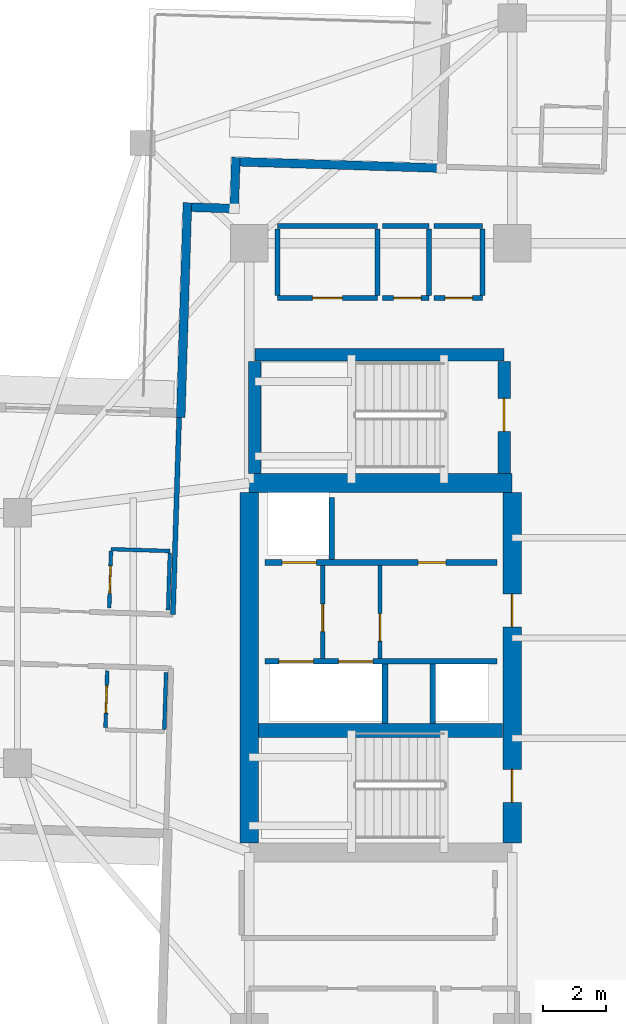
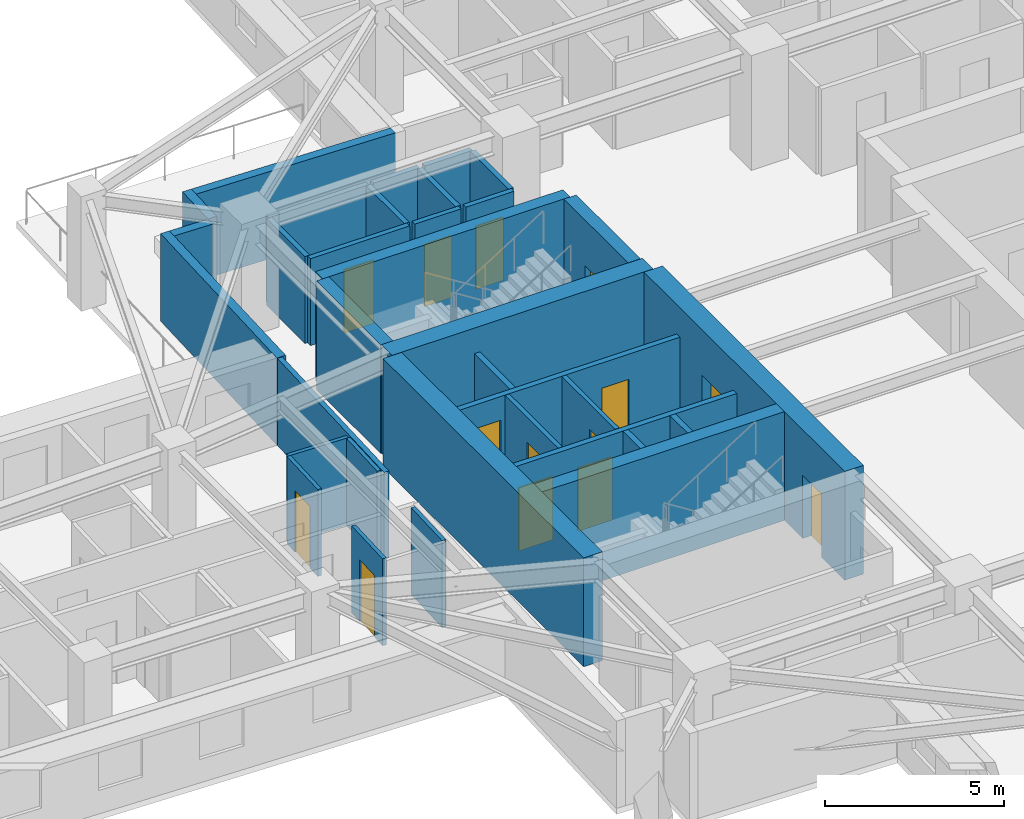
# One storey, part 5 of 13: 34 walls, 14 doors, 14 openings.
"""IFC4 building model written with IfcOpenShell, lengths in metres."""

from ifc_helpers import new_model, si_unit, direction, frame, frame_2d, origin, place, context, subcontext, project, spatial, rectangle, extrude, material, layer, layer_set, type_object, element, fill, save


model = new_model("IFC4")

# Units and contexts
model_context = context("Model", 3, precision=1e-05, world=origin(), true_north=direction((0.0, 1.0)))
body_context = subcontext(model_context, "Body", "Model", "MODEL_VIEW")
ifc_project = project(units=[si_unit("LENGTHUNIT", "METRE"), si_unit("AREAUNIT", "SQUARE_METRE"), si_unit("VOLUMEUNIT", "CUBIC_METRE"), si_unit("PLANEANGLEUNIT", "RADIAN"), si_unit("MASSUNIT", "GRAM", prefix="KILO")], contexts=[model_context])

# Site, building, storey
site_placement = place(None, origin())
site = spatial("IfcSite", under=ifc_project, at=site_placement, CompositionType="ELEMENT")
building_placement = place(site_placement, origin())
building = spatial("IfcBuilding", under=site, at=building_placement, Name="Qingluan Cross Belvedere", CompositionType="ELEMENT")
storey_placement = place(building_placement, frame((0.0, 0.0, 152.699951171875)))
storey = spatial("IfcBuildingStorey", under=building, at=storey_placement, Name="L38", CompositionType="ELEMENT", Elevation=152.699951171875)

# Walls
ifc_material_1 = material(Name="Concrete C50", Category="concrete")
ifc_layer_1 = layer(ifc_material_1, 0.449951171875, Name="CoreShearWall_450")
ifc_layer_set_1 = layer_set([ifc_layer_1], Name="Concrete C50")
wall_type_1 = type_object("IfcWallType", Name="CoreShearWall_450", PredefinedType="SHEAR", material=ifc_layer_set_1)
wall_1_placement = place(storey_placement, frame((-12.094970703125, -2.9599609375, 0.0), z_axis=(0.0, 0.0, 1.0), x_axis=(1.0, 0.0, 0.0)))
element("IfcWall", 1, at=wall_1_placement, inside=storey, type_object=wall_type_1, Name="Split core W shear wall L38-M", PredefinedType="SHEAR", context=body_context, shape_type="SweptSolid", body=[
    extrude(rectangle(XDim=7.7900390625, YDim=0.449951171875, at=frame_2d((3.89501953125, 0.0))), origin(), (0.0, 0.0, 1.0), 3.699951171875),
])
wall_2_placement = place(storey_placement, frame((-12.219970703125, 9.0400390625, 0.0), z_axis=(0.0, 0.0, 1.0), x_axis=(1.0, 0.0, 0.0)))
element("IfcWall", 2, at=wall_2_placement, inside=storey, type_object=wall_type_1, Name="Stair ST3 structural wall N L38", PredefinedType="SHEAR", context=body_context, shape_type="SweptSolid", body=[
    extrude(rectangle(XDim=7.9599609375, YDim=0.39990234375, at=frame_2d((3.97998046875, 0.0))), origin(), (0.0, 0.0, 1.0), 3.699951171875),
])
wall_3_placement = place(storey_placement, frame((-12.219970703125, 5.2548828125, 0.0), z_axis=(0.0, 0.0, 1.0), x_axis=(0.0, 1.0, 0.0)))
element("IfcWall", 3, at=wall_3_placement, inside=storey, type_object=wall_type_1, Name="Stair ST3 structural wall W L38", PredefinedType="SHEAR", context=body_context, shape_type="SweptSolid", body=[
    extrude(rectangle(XDim=3.580078125, YDim=0.39990234375, at=frame_2d((1.7900390625, 0.0))), origin(), (0.0, 0.0, 1.0), 3.699951171875),
])

# Wall, opening, door
wall_4_placement = place(storey_placement, frame((-4.260009765625, 5.2548828125, 0.0), z_axis=(0.0, 0.0, 1.0), x_axis=(0.0, 1.0, 0.0)))
wall_4 = element("IfcWall", 4, at=wall_4_placement, inside=storey, type_object=wall_type_1, Name="Stair ST3 structural wall E L38", PredefinedType="SHEAR", context=body_context, shape_type="SweptSolid", body=[
    extrude(rectangle(XDim=3.580078125, YDim=0.39990234375, at=frame_2d((1.7900390625, 0.0))), origin(), (0.0, 0.0, 1.0), 3.699951171875),
])
opening_1_placement = place(wall_4_placement, frame((1.344970703125, 0.0, 0.0)))
opening_1 = element("IfcOpeningElement", 5, at=opening_1_placement, cuts=wall_4, Name="Opening FD-B11", PredefinedType="OPENING", context=body_context, shape_type="SweptSolid", body=[
    extrude(rectangle(XDim=1.050048828125, YDim=2.14990234375, at=frame_2d((0.52490234375, 1.074951171875))), frame((0.0, 0.2099609375, 0.0), z_axis=(0.0, -1.0, 0.0), x_axis=(1.0, 0.0, 0.0)), (0.0, 0.0, 1.0), 0.419921875),
])
ifc_material_2 = material(Name="Steel Class B smoke-seal fire door", Category="steel")
door_type_1 = type_object("IfcDoorType", Name="StairLobbyFireDoor_FDB", OperationType="NOTDEFINED", PredefinedType="DOOR", material=ifc_material_2)
door_1_placement = place(opening_1_placement, origin())
door_1 = element("IfcDoor", 6, at=door_1_placement, inside=storey, type_object=door_type_1, Name="Smoke-proof stair ST3 fire door L38", OperationType="SINGLE_SWING_RIGHT", OverallHeight=2.14990234375, OverallWidth=1.050048828125, PredefinedType="DOOR", context=body_context, shape_type="SweptSolid", body=[
    extrude(rectangle(XDim=1.050048828125, YDim=2.14990234375, at=frame_2d((0.52490234375, 1.074951171875))), frame((0.0, 0.02490234375, 0.0), z_axis=(0.0, -1.0, 0.0), x_axis=(1.0, 0.0, 0.0)), (0.0, 0.0, 1.0), 0.050048828125),
])
fill(opening_1, door_1)

# Walls
ifc_material_3 = material(Name="Concrete C60", Category="concrete")
ifc_layer_2 = layer(ifc_material_3, 0.60009765625, Name="CoreShearWall_600")
ifc_layer_set_2 = layer_set([ifc_layer_2], Name="Concrete C60")
wall_type_2 = type_object("IfcWallType", Name="CoreShearWall_600", PredefinedType="SHEAR", material=ifc_layer_set_2)
wall_5_placement = place(storey_placement, frame((-12.39990234375, 4.949951171875, 0.0), z_axis=(0.0, 0.0, 1.0), x_axis=(1.0, 0.0, 0.0)))
element("IfcWall", 7, at=wall_5_placement, inside=storey, type_object=wall_type_2, Name="Split core W shear wall L38-N", PredefinedType="SHEAR", context=body_context, shape_type="SweptSolid", body=[
    extrude(rectangle(XDim=8.39990234375, YDim=0.60009765625, at=frame_2d((4.199951171875, 0.0))), origin(), (0.0, 0.0, 1.0), 3.699951171875),
])
wall_6_placement = place(storey_placement, frame((-12.39990234375, -6.544921875, 0.0), z_axis=(0.0, 0.0, 1.0), x_axis=(0.0, 1.0, 0.0)))
element("IfcWall", 8, at=wall_6_placement, inside=storey, type_object=wall_type_2, Name="Split core W shear wall L38-W", PredefinedType="SHEAR", context=body_context, shape_type="SweptSolid", body=[
    extrude(rectangle(XDim=11.18994140625, YDim=0.60009765625, at=frame_2d((5.594970703125, 0.0))), origin(), (0.0, 0.0, 1.0), 3.699951171875),
])

# Wall, openings, doors
wall_7_placement = place(storey_placement, frame((-4.0, -6.544921875, 0.0), z_axis=(0.0, 0.0, 1.0), x_axis=(0.0, 1.0, 0.0)))
wall_7 = element("IfcWall", 9, at=wall_7_placement, inside=storey, type_object=wall_type_2, Name="Split core W shear wall L38-E", PredefinedType="SHEAR", context=body_context, shape_type="SweptSolid", body=[
    extrude(rectangle(XDim=11.18994140625, YDim=0.60009765625, at=frame_2d((5.594970703125, 0.0))), origin(), (0.0, 0.0, 1.0), 3.699951171875),
])
opening_2_placement = place(wall_7_placement, frame((1.294921875, 0.0, 0.0)))
opening_2 = element("IfcOpeningElement", 10, at=opening_2_placement, cuts=wall_7, Name="Opening FD-B11", PredefinedType="OPENING", context=body_context, shape_type="SweptSolid", body=[
    extrude(rectangle(XDim=1.050048828125, YDim=2.14990234375, at=frame_2d((0.52490234375, 1.074951171875))), frame((0.0, 0.31005859375, 0.0), z_axis=(0.0, -1.0, 0.0), x_axis=(1.0, 0.0, 0.0)), (0.0, 0.0, 1.0), 0.6201171875),
])
opening_3_placement = place(wall_7_placement, frame((6.89501953125, 0.0, 0.0)))
opening_3 = element("IfcOpeningElement", 11, at=opening_3_placement, cuts=wall_7, Name="Opening FD-B11", PredefinedType="OPENING", context=body_context, shape_type="SweptSolid", body=[
    extrude(rectangle(XDim=1.050048828125, YDim=2.14990234375, at=frame_2d((0.52490234375, 1.074951171875))), frame((0.0, 0.31005859375, 0.0), z_axis=(0.0, -1.0, 0.0), x_axis=(1.0, 0.0, 0.0)), (0.0, 0.0, 1.0), 0.6201171875),
])
door_2_placement = place(opening_2_placement, origin())
door_2 = element("IfcDoor", 12, at=door_2_placement, inside=storey, type_object=door_type_1, Name="Smoke-proof stair ST1 fire door L38", OperationType="SINGLE_SWING_RIGHT", OverallHeight=2.14990234375, OverallWidth=1.050048828125, PredefinedType="DOOR", context=body_context, shape_type="SweptSolid", body=[
    extrude(rectangle(XDim=1.050048828125, YDim=2.14990234375, at=frame_2d((0.52490234375, 1.074951171875))), frame((0.0, 0.02490234375, 0.0), z_axis=(0.0, -1.0, 0.0), x_axis=(1.0, 0.0, 0.0)), (0.0, 0.0, 1.0), 0.050048828125),
])
fill(opening_2, door_2)
door_3_placement = place(opening_3_placement, origin())
door_3 = element("IfcDoor", 13, at=door_3_placement, inside=storey, type_object=door_type_1, Name="Firefighting lobby West fire door L38", OperationType="SINGLE_SWING_RIGHT", OverallHeight=2.14990234375, OverallWidth=1.050048828125, PredefinedType="DOOR", context=body_context, shape_type="SweptSolid", body=[
    extrude(rectangle(XDim=1.050048828125, YDim=2.14990234375, at=frame_2d((0.52490234375, 1.074951171875))), frame((0.0, 0.02490234375, 0.0), z_axis=(0.0, -1.0, 0.0), x_axis=(1.0, 0.0, 0.0)), (0.0, 0.0, 1.0), 0.050048828125),
])
fill(opening_3, door_3)

# Wall, opening, door
ifc_material_4 = material(Name="Gypsum plasterboard on steel stud acoustic partition", Category="steel")
ifc_layer_3 = layer(ifc_material_4, 0.159912109375, Name="CorridorPartition_160")
ifc_layer_set_3 = layer_set([ifc_layer_3], Name="Gypsum plasterboard on steel stud acoustic partition")
wall_type_3 = type_object("IfcWallType", Name="CorridorPartition_160", PredefinedType="PARTITIONING", material=ifc_layer_set_3)
wall_8_placement = place(storey_placement, frame((-10.050048828125, -0.652099609375, 0.0), z_axis=(0.0, 0.0, 1.0), x_axis=(0.0, 1.0, 0.0)))
wall_8 = element("IfcWall", 14, at=wall_8_placement, inside=storey, type_object=wall_type_3, Name="Partition L38:wv", PredefinedType="PARTITIONING", context=body_context, shape_type="SweptSolid", body=[
    extrude(rectangle(XDim=2.962158203125, YDim=0.139892578125, at=frame_2d((1.48095703125, 0.0))), origin(), (0.0, 0.0, 1.0), 2.9599609375),
])
opening_4_placement = place(wall_8_placement, frame((0.85009765625, 0.0, 0.0)))
opening_4 = element("IfcOpeningElement", 15, at=opening_4_placement, cuts=wall_8, Name="Opening FD-B10", PredefinedType="OPENING", context=body_context, shape_type="SweptSolid", body=[
    extrude(rectangle(XDim=0.8798828125, YDim=2.10009765625, at=frame_2d((0.43994140625, 1.050048828125))), frame((0.0, 0.079833984375, 0.0), z_axis=(0.0, -1.0, 0.0), x_axis=(1.0, 0.0, 0.0)), (0.0, 0.0, 1.0), 0.159912109375),
])
ifc_material_5 = material(Name="Steel Class B service fire door", Category="steel")
door_type_2 = type_object("IfcDoorType", Name="RiserServiceFireDoor_FDB", OperationType="NOTDEFINED", PredefinedType="DOOR", material=ifc_material_5)
door_4_placement = place(opening_4_placement, origin())
door_4 = element("IfcDoor", 16, at=door_4_placement, inside=storey, type_object=door_type_2, Name="Service closet inner door L38", OperationType="SINGLE_SWING_LEFT", OverallHeight=2.10009765625, OverallWidth=0.8798828125, PredefinedType="DOOR", context=body_context, shape_type="SweptSolid", body=[
    extrude(rectangle(XDim=0.8798828125, YDim=2.10009765625, at=frame_2d((0.43994140625, 1.050048828125))), frame((0.0, 0.02490234375, 0.0), z_axis=(0.0, -1.0, 0.0), x_axis=(1.0, 0.0, 0.0)), (0.0, 0.0, 1.0), 0.050048828125),
])
fill(opening_4, door_4)

wall_9_placement = place(storey_placement, frame((-11.5, 10.85009765625, 0.0), z_axis=(0.0, 0.0, 1.0), x_axis=(1.0, 0.0, 0.0)))
wall_9 = element("IfcWall", 17, at=wall_9_placement, inside=storey, type_object=wall_type_3, Name="Partition L38:q_nw_occ:S", PredefinedType="PARTITIONING", context=body_context, shape_type="SweptSolid", body=[
    extrude(rectangle(XDim=3.199951171875, YDim=0.159912109375, at=frame_2d((1.60009765625, 0.0))), origin(), (0.0, 0.0, 1.0), 2.9599609375),
])
opening_5_placement = place(wall_9_placement, frame((1.1201171875, 0.0, 0.0)))
opening_5 = element("IfcOpeningElement", 18, at=opening_5_placement, cuts=wall_9, Name="Opening GD-10", PredefinedType="OPENING", context=body_context, shape_type="SweptSolid", body=[
    extrude(rectangle(XDim=0.9599609375, YDim=2.14990234375, at=frame_2d((0.47998046875, 1.074951171875))), frame((0.0, 0.08984375, 0.0), z_axis=(0.0, -1.0, 0.0), x_axis=(1.0, 0.0, 0.0)), (0.0, 0.0, 1.0), 0.179931640625),
])
ifc_material_6 = material(Name="Timber oak fire-rated acoustic guestroom door", Category="wood")
door_type_3 = type_object("IfcDoorType", Name="GuestEntryDoor_FD60", OperationType="NOTDEFINED", PredefinedType="DOOR", material=ifc_material_6)
door_5_placement = place(opening_5_placement, origin())
door_5 = element("IfcDoor", 19, at=door_5_placement, inside=storey, type_object=door_type_3, Name="Northwest corner reading salon L38 door", OperationType="SINGLE_SWING_RIGHT", OverallHeight=2.14990234375, OverallWidth=0.9599609375, PredefinedType="DOOR", context=body_context, shape_type="SweptSolid", body=[
    extrude(rectangle(XDim=0.9599609375, YDim=2.14990234375, at=frame_2d((0.47998046875, 1.074951171875))), frame((0.0, 0.02490234375, 0.0), z_axis=(0.0, -1.0, 0.0), x_axis=(1.0, 0.0, 0.0)), (0.0, 0.0, 1.0), 0.050048828125),
])
fill(opening_5, door_5)

# Walls
wall_10_placement = place(storey_placement, frame((-11.5, 13.14990234375, 0.0), z_axis=(0.0, 0.0, 1.0), x_axis=(1.0, 0.0, 0.0)))
element("IfcWall", 20, at=wall_10_placement, inside=storey, type_object=wall_type_3, Name="Partition L38:q_nw_occ:N", PredefinedType="PARTITIONING", context=body_context, shape_type="SweptSolid", body=[
    extrude(rectangle(XDim=3.199951171875, YDim=0.159912109375, at=frame_2d((1.60009765625, 0.0))), origin(), (0.0, 0.0, 1.0), 2.9599609375),
])
for number, where, z_axis, x_axis, name in (
    (21, (-11.5, 10.93505859375, 0.0), (0.0, 0.0, 1.0), (0.0, 1.0, 0.0), "Partition L38:q_nw_occ:W"),
    (22, (-8.300048828125, 10.93505859375, 0.0), (0.0, 0.0, 1.0), (0.0, 1.0, 0.0), "Partition L38:q_nw_occ:E"),
):
    element("IfcWall", number, at=place(storey_placement, frame(where, z_axis=z_axis, x_axis=x_axis)), inside=storey, type_object=wall_type_3, Name=name, PredefinedType="PARTITIONING", context=body_context, shape_type="SweptSolid", body=[
        extrude(rectangle(XDim=2.1298828125, YDim=0.159912109375, at=frame_2d((1.06494140625, 0.0))), origin(), (0.0, 0.0, 1.0), 2.9599609375),
    ])

# Wall, opening, door
wall_11_placement = place(storey_placement, frame((-8.139892578125, 10.85009765625, 0.0), z_axis=(0.0, 0.0, 1.0), x_axis=(1.0, 0.0, 0.0)))
wall_11 = element("IfcWall", 23, at=wall_11_placement, inside=storey, type_object=wall_type_3, Name="Partition L38:hk_linen:S", PredefinedType="PARTITIONING", context=body_context, shape_type="SweptSolid", body=[
    extrude(rectangle(XDim=1.489990234375, YDim=0.159912109375, at=frame_2d((0.7451171875, 0.0))), origin(), (0.0, 0.0, 1.0), 2.9599609375),
])
opening_6_placement = place(wall_11_placement, frame((0.35009765625, 0.0, 0.0)))
opening_6 = element("IfcOpeningElement", 24, at=opening_6_placement, cuts=wall_11, Name="Opening FD-B10", PredefinedType="OPENING", context=body_context, shape_type="SweptSolid", body=[
    extrude(rectangle(XDim=0.8798828125, YDim=2.10009765625, at=frame_2d((0.43994140625, 1.050048828125))), frame((0.0, 0.08984375, 0.0), z_axis=(0.0, -1.0, 0.0), x_axis=(1.0, 0.0, 0.0)), (0.0, 0.0, 1.0), 0.179931640625),
])
door_6_placement = place(opening_6_placement, origin())
door_6 = element("IfcDoor", 25, at=door_6_placement, inside=storey, type_object=door_type_2, Name="Housekeeping and linen store L38 door", OperationType="SINGLE_SWING_LEFT", OverallHeight=2.10009765625, OverallWidth=0.8798828125, PredefinedType="DOOR", context=body_context, shape_type="SweptSolid", body=[
    extrude(rectangle(XDim=0.8798828125, YDim=2.10009765625, at=frame_2d((0.43994140625, 1.050048828125))), frame((0.0, 0.02490234375, 0.0), z_axis=(0.0, -1.0, 0.0), x_axis=(1.0, 0.0, 0.0)), (0.0, 0.0, 1.0), 0.050048828125),
])
fill(opening_6, door_6)

# Walls
wall_12_placement = place(storey_placement, frame((-8.139892578125, 13.14990234375, 0.0), z_axis=(0.0, 0.0, 1.0), x_axis=(1.0, 0.0, 0.0)))
element("IfcWall", 26, at=wall_12_placement, inside=storey, type_object=wall_type_3, Name="Partition L38:hk_linen:N", PredefinedType="PARTITIONING", context=body_context, shape_type="SweptSolid", body=[
    extrude(rectangle(XDim=1.489990234375, YDim=0.159912109375, at=frame_2d((0.7451171875, 0.0))), origin(), (0.0, 0.0, 1.0), 2.9599609375),
])
wall_13_placement = place(storey_placement, frame((-6.64990234375, 10.93505859375, 0.0), z_axis=(0.0, 0.0, 1.0), x_axis=(0.0, 1.0, 0.0)))
element("IfcWall", 27, at=wall_13_placement, inside=storey, type_object=wall_type_3, Name="Partition L38:hk_linen:E", PredefinedType="PARTITIONING", context=body_context, shape_type="SweptSolid", body=[
    extrude(rectangle(XDim=2.1298828125, YDim=0.159912109375, at=frame_2d((1.06494140625, 0.0))), origin(), (0.0, 0.0, 1.0), 2.9599609375),
])

# Wall, opening, door
wall_14_placement = place(storey_placement, frame((-6.489990234375, 10.85009765625, 0.0), z_axis=(0.0, 0.0, 1.0), x_axis=(1.0, 0.0, 0.0)))
wall_14 = element("IfcWall", 28, at=wall_14_placement, inside=storey, type_object=wall_type_3, Name="Partition L38:floor_acc_wc:S", PredefinedType="PARTITIONING", context=body_context, shape_type="SweptSolid", body=[
    extrude(rectangle(XDim=1.5400390625, YDim=0.159912109375, at=frame_2d((0.77001953125, 0.0))), origin(), (0.0, 0.0, 1.0), 2.9599609375),
])
opening_7_placement = place(wall_14_placement, frame((0.35009765625, 0.0, 0.0)))
opening_7 = element("IfcOpeningElement", 29, at=opening_7_placement, cuts=wall_14, Name="Opening BD-08", PredefinedType="OPENING", context=body_context, shape_type="SweptSolid", body=[
    extrude(rectangle(XDim=0.8798828125, YDim=2.14990234375, at=frame_2d((0.43994140625, 1.074951171875))), frame((0.0, 0.08984375, 0.0), z_axis=(0.0, -1.0, 0.0), x_axis=(1.0, 0.0, 0.0)), (0.0, 0.0, 1.0), 0.179931640625),
])
ifc_material_7 = material(Name="Moisture-sealed timber accessible WC door", Category="wood")
door_type_4 = type_object("IfcDoorType", Name="AccessibleWCDoor_880", OperationType="NOTDEFINED", PredefinedType="DOOR", material=ifc_material_7)
door_7_placement = place(opening_7_placement, origin())
door_7 = element("IfcDoor", 30, at=door_7_placement, inside=storey, type_object=door_type_4, Name="Accessible guest washroom L38 door", OperationType="SINGLE_SWING_RIGHT", OverallHeight=2.14990234375, OverallWidth=0.8798828125, PredefinedType="DOOR", context=body_context, shape_type="SweptSolid", body=[
    extrude(rectangle(XDim=0.8798828125, YDim=2.14990234375, at=frame_2d((0.43994140625, 1.074951171875))), frame((0.0, 0.02490234375, 0.0), z_axis=(0.0, -1.0, 0.0), x_axis=(1.0, 0.0, 0.0)), (0.0, 0.0, 1.0), 0.050048828125),
])
fill(opening_7, door_7)

# Walls
wall_15_placement = place(storey_placement, frame((-6.489990234375, 13.14990234375, 0.0), z_axis=(0.0, 0.0, 1.0), x_axis=(1.0, 0.0, 0.0)))
element("IfcWall", 31, at=wall_15_placement, inside=storey, type_object=wall_type_3, Name="Partition L38:floor_acc_wc:N", PredefinedType="PARTITIONING", context=body_context, shape_type="SweptSolid", body=[
    extrude(rectangle(XDim=1.5400390625, YDim=0.159912109375, at=frame_2d((0.77001953125, 0.0))), origin(), (0.0, 0.0, 1.0), 2.9599609375),
])
wall_16_placement = place(storey_placement, frame((-4.949951171875, 10.93505859375, 0.0), z_axis=(0.0, 0.0, 1.0), x_axis=(0.0, 1.0, 0.0)))
element("IfcWall", 32, at=wall_16_placement, inside=storey, type_object=wall_type_3, Name="Partition L38:floor_acc_wc:E", PredefinedType="PARTITIONING", context=body_context, shape_type="SweptSolid", body=[
    extrude(rectangle(XDim=2.1298828125, YDim=0.159912109375, at=frame_2d((1.06494140625, 0.0))), origin(), (0.0, 0.0, 1.0), 2.9599609375),
])
wall_17_placement = place(storey_placement, frame((-14.833984375, 0.746337890625, 0.0), z_axis=(0.0, 0.0, 1.0), x_axis=(0.031429784908, 0.999505962274, 0.0)))
element("IfcWall", 33, at=wall_17_placement, inside=storey, type_object=wall_type_3, Name="Partition L38:W:s0", PredefinedType="PARTITIONING", context=body_context, shape_type="SweptSolid", body=[
    extrude(rectangle(XDim=6.2919921875, YDim=0.159912109375, at=frame_2d((3.14599609375, 0.0))), origin(), (0.0, 0.0, 1.0), 2.9599609375),
])

# Wall, opening, door
ifc_material_8 = material(Name="Moisture-resistant gypsum board lining")
ifc_layer_4 = layer(ifc_material_8, 0.1201171875, Name="EnsuiteWetPartition_120")
ifc_layer_set_4 = layer_set([ifc_layer_4], Name="Moisture-resistant gypsum board lining")
wall_type_4 = type_object("IfcWallType", Name="EnsuiteWetPartition_120", PredefinedType="PARTITIONING", material=ifc_layer_set_4)
wall_18_placement = place(storey_placement, frame((-16.868408203125, 0.9501953125, 0.0), z_axis=(0.0, 0.0, 1.0), x_axis=(0.031389704724, 0.999507221803, 0.0)))
wall_18 = element("IfcWall", 34, at=wall_18_placement, inside=storey, type_object=wall_type_4, Name="Partition L38:W:bs0_0", PredefinedType="PARTITIONING", context=body_context, shape_type="SweptSolid", body=[
    extrude(rectangle(XDim=1.820068359375, YDim=0.1201171875, at=frame_2d((0.91015625, 0.0))), origin(), (0.0, 0.0, 1.0), 2.9599609375),
])
opening_8_placement = place(wall_18_placement, frame((0.469970703125, 0.0, 0.0)))
opening_8 = element("IfcOpeningElement", 35, at=opening_8_placement, cuts=wall_18, Name="Opening BD-09", PredefinedType="OPENING", context=body_context, shape_type="SweptSolid", body=[
    extrude(rectangle(XDim=0.8798828125, YDim=2.10009765625, at=frame_2d((0.43994140625, 1.050048828125))), frame((0.0, 0.070068359375, 0.0), z_axis=(0.0, -1.0, 0.0), x_axis=(1.0, 0.0, 0.0)), (0.0, 0.0, 1.0), 0.14013671875),
])
ifc_material_9 = material(Name="Moisture-sealed timber en-suite door", Category="wood")
door_type_5 = type_object("IfcDoorType", Name="BathroomDoor_880", OperationType="NOTDEFINED", PredefinedType="DOOR", material=ifc_material_9)
door_8_placement = place(opening_8_placement, origin())
door_8 = element("IfcDoor", 36, at=door_8_placement, inside=storey, type_object=door_type_5, Name="Bathroom door 3803", OperationType="SINGLE_SWING_LEFT", OverallHeight=2.10009765625, OverallWidth=0.8798828125, PredefinedType="DOOR", context=body_context, shape_type="SweptSolid", body=[
    extrude(rectangle(XDim=0.8798828125, YDim=2.10009765625, at=frame_2d((0.43994140625, 1.050048828125))), frame((0.0, 0.02490234375, 0.0), z_axis=(0.0, -1.0, 0.0), x_axis=(1.0, 0.0, 0.0)), (0.0, 0.0, 1.0), 0.050048828125),
])
fill(opening_8, door_8)

# Walls
wall_19_placement = place(storey_placement, frame((-14.989501953125, 0.891357421875, 0.0), z_axis=(0.0, 0.0, 1.0), x_axis=(0.03152371574, 0.999503004171, 0.0)))
element("IfcWall", 37, at=wall_19_placement, inside=storey, type_object=wall_type_4, Name="Partition L38:W:bw0_0", PredefinedType="PARTITIONING", context=body_context, shape_type="SweptSolid", body=[
    extrude(rectangle(XDim=1.820068359375, YDim=0.1201171875, at=frame_2d((0.91015625, 0.0))), origin(), (0.0, 0.0, 1.0), 2.9599609375),
])
wall_20_placement = place(storey_placement, frame((-14.93017578125, 2.775390625, 0.0), z_axis=(0.0, 0.0, 1.0), x_axis=(-0.999506103526, 0.031425292588, 0.0)))
element("IfcWall", 38, at=wall_20_placement, inside=storey, type_object=wall_type_4, Name="Partition L38:W:bn0_0", PredefinedType="PARTITIONING", context=body_context, shape_type="SweptSolid", body=[
    extrude(rectangle(XDim=1.880126953125, YDim=0.1201171875, at=frame_2d((0.93994140625, 0.0))), origin(), (0.0, 0.0, 1.0), 2.9599609375),
])

# Wall, opening, door
wall_21_placement = place(storey_placement, frame((-16.988525390625, -2.867919921875, 0.0), z_axis=(0.0, 0.0, 1.0), x_axis=(0.031385496622, 0.999507353951, 0.0)))
wall_21 = element("IfcWall", 39, at=wall_21_placement, inside=storey, type_object=wall_type_4, Name="Partition L38:W:bs1_0", PredefinedType="PARTITIONING", context=body_context, shape_type="SweptSolid", body=[
    extrude(rectangle(XDim=1.8203125, YDim=0.1201171875, at=frame_2d((0.91015625, 0.0))), origin(), (0.0, 0.0, 1.0), 2.9599609375),
])
opening_9_placement = place(wall_21_placement, frame((0.469970703125, 0.0, 0.0)))
opening_9 = element("IfcOpeningElement", 40, at=opening_9_placement, cuts=wall_21, Name="Opening BD-09", PredefinedType="OPENING", context=body_context, shape_type="SweptSolid", body=[
    extrude(rectangle(XDim=0.8798828125, YDim=2.10009765625, at=frame_2d((0.43994140625, 1.050048828125))), frame((0.0, 0.070068359375, 0.0), z_axis=(0.0, -1.0, 0.0), x_axis=(1.0, 0.0, 0.0)), (0.0, 0.0, 1.0), 0.14013671875),
])
door_9_placement = place(opening_9_placement, origin())
door_9 = element("IfcDoor", 41, at=door_9_placement, inside=storey, type_object=door_type_5, Name="Bathroom door 3806", OperationType="SINGLE_SWING_LEFT", OverallHeight=2.10009765625, OverallWidth=0.8798828125, PredefinedType="DOOR", context=body_context, shape_type="SweptSolid", body=[
    extrude(rectangle(XDim=0.8798828125, YDim=2.10009765625, at=frame_2d((0.43994140625, 1.050048828125))), frame((0.0, 0.02490234375, 0.0), z_axis=(0.0, -1.0, 0.0), x_axis=(1.0, 0.0, 0.0)), (0.0, 0.0, 1.0), 0.050048828125),
])
fill(opening_9, door_9)

# Walls
wall_22_placement = place(storey_placement, frame((-15.109375, -2.9267578125, 0.0), z_axis=(0.0, 0.0, 1.0), x_axis=(0.031389704724, 0.999507221803, 0.0)))
element("IfcWall", 42, at=wall_22_placement, inside=storey, type_object=wall_type_4, Name="Partition L38:W:bw1_0", PredefinedType="PARTITIONING", context=body_context, shape_type="SweptSolid", body=[
    extrude(rectangle(XDim=1.820068359375, YDim=0.1201171875, at=frame_2d((0.91015625, 0.0))), origin(), (0.0, 0.0, 1.0), 2.9599609375),
])
ifc_material_10 = material(Name="Precast concrete C45", Category="concrete")
ifc_layer_5 = layer(ifc_material_10, 0.280029296875, Name="PrecastFacadeWall_280")
ifc_layer_set_5 = layer_set([ifc_layer_5], Name="Precast concrete C45")
wall_type_5 = type_object("IfcWallType", Name="PrecastFacadeWall_280", PredefinedType="STANDARD", material=ifc_layer_set_5)
wall_23_placement = place(storey_placement, frame((-14.5859375, 7.04150390625, 0.0), z_axis=(0.0, 0.0, 1.0), x_axis=(0.031389189386, 0.999507237988, 0.0)))
element("IfcWall", 43, at=wall_23_placement, inside=storey, type_object=wall_type_5, Name="Corner wall L38-NW1", PredefinedType="STANDARD", context=body_context, shape_type="SweptSolid", body=[
    extrude(rectangle(XDim=6.860107421875, YDim=0.280029296875, at=frame_2d((3.43017578125, 0.0))), origin(), (0.0, 0.0, 1.0), 2.969970703125),
])
wall_24_placement = place(storey_placement, frame((-14.235107421875, 13.75390625, 0.0), z_axis=(0.0, 0.0, 1.0), x_axis=(0.999506398264, -0.031415916822, 0.0)))
element("IfcWall", 44, at=wall_24_placement, inside=storey, type_object=wall_type_5, Name="Corner wall L38-NW2", PredefinedType="STANDARD", context=body_context, shape_type="SweptSolid", body=[
    extrude(rectangle(XDim=1.219970703125, YDim=0.280029296875, at=frame_2d((0.60986328125, 0.0))), origin(), (0.0, 0.0, 1.0), 2.969970703125),
])
wall_25_placement = place(storey_placement, frame((-12.871337890625, 13.85107421875, 0.0), z_axis=(0.0, 0.0, 1.0), x_axis=(0.031412596484, 0.999506502621, 0.0)))
element("IfcWall", 45, at=wall_25_placement, inside=storey, type_object=wall_type_5, Name="Corner wall L38-NW3", PredefinedType="STANDARD", context=body_context, shape_type="SweptSolid", body=[
    extrude(rectangle(XDim=1.5, YDim=0.280029296875, at=frame_2d((0.75, 0.0))), origin(), (0.0, 0.0, 1.0), 2.969970703125),
])
wall_26_placement = place(storey_placement, frame((-12.688720703125, 15.2060546875, 0.0), z_axis=(0.0, 0.0, 1.0), x_axis=(0.999507262922, -0.031388395416, 0.0)))
element("IfcWall", 46, at=wall_26_placement, inside=storey, type_object=wall_type_5, Name="Corner wall L38-NW4", PredefinedType="STANDARD", context=body_context, shape_type="SweptSolid", body=[
    extrude(rectangle(XDim=6.30029296875, YDim=0.280029296875, at=frame_2d((3.150146484375, 0.0))), origin(), (0.0, 0.0, 1.0), 2.969970703125),
])

# Wall, openings, doors
ifc_material_11 = material(Name="Concrete C40", Category="concrete")
ifc_layer_6 = layer(ifc_material_11, 0.219970703125, Name="ShaftEnclosureWall_250")
ifc_layer_set_6 = layer_set([ifc_layer_6], Name="Concrete C40")
wall_type_6 = type_object("IfcWallType", Name="ShaftEnclosureWall_250", PredefinedType="SOLIDWALL", material=ifc_layer_set_6)
wall_27_placement = place(storey_placement, frame((-11.89990234375, 2.409912109375, 0.0), z_axis=(0.0, 0.0, 1.0), x_axis=(1.0, 0.0, 0.0)))
wall_27 = element("IfcWall", 47, at=wall_27_placement, inside=storey, type_object=wall_type_6, Name="Core-W north hoistway wall L38", PredefinedType="SOLIDWALL", context=body_context, shape_type="SweptSolid", body=[
    extrude(rectangle(XDim=7.419921875, YDim=0.179931640625, at=frame_2d((3.7099609375, 0.0))), origin(), (0.0, 0.0, 1.0), 2.9599609375),
])
opening_10_placement = place(wall_27_placement, frame((0.550048828125, 0.0, 0.0)))
opening_10 = element("IfcOpeningElement", 48, at=opening_10_placement, cuts=wall_27, Name="Opening LD-11", PredefinedType="OPENING", context=body_context, shape_type="SweptSolid", body=[
    extrude(rectangle(XDim=1.10009765625, YDim=2.14990234375, at=frame_2d((0.550048828125, 1.074951171875))), frame((0.0, 0.099853515625, 0.0), z_axis=(0.0, -1.0, 0.0), x_axis=(1.0, 0.0, 0.0)), (0.0, 0.0, 1.0), 0.199951171875),
])
opening_11_placement = place(wall_27_placement, frame((4.89990234375, 0.0, 0.0)))
opening_11 = element("IfcOpeningElement", 49, at=opening_11_placement, cuts=wall_27, Name="Opening FD-B10", PredefinedType="OPENING", context=body_context, shape_type="SweptSolid", body=[
    extrude(rectangle(XDim=0.8798828125, YDim=2.10009765625, at=frame_2d((0.43994140625, 1.050048828125))), frame((0.0, 0.099853515625, 0.0), z_axis=(0.0, -1.0, 0.0), x_axis=(1.0, 0.0, 0.0)), (0.0, 0.0, 1.0), 0.199951171875),
])
ifc_material_12 = material(Name="Brushed stainless steel centre-opening lift landing door", Category="steel")
door_type_6 = type_object("IfcDoorType", Name="LiftLandingSlidingDoor_1100", OperationType="DOUBLE_DOOR_SLIDING", PredefinedType="DOOR", material=ifc_material_12)
door_10_placement = place(opening_10_placement, origin())
door_10 = element("IfcDoor", 50, at=door_10_placement, inside=storey, type_object=door_type_6, Name="Lift landing sliding door FL1 L38", OperationType="DOUBLE_DOOR_SLIDING", OverallHeight=2.14990234375, OverallWidth=1.10009765625, PredefinedType="DOOR", context=body_context, shape_type="SweptSolid", body=[
    extrude(rectangle(XDim=1.10009765625, YDim=2.14990234375, at=frame_2d((0.550048828125, 1.074951171875))), frame((0.0, 0.02490234375, 0.0), z_axis=(0.0, -1.0, 0.0), x_axis=(1.0, 0.0, 0.0)), (0.0, 0.0, 1.0), 0.050048828125),
])
fill(opening_10, door_10)
door_11_placement = place(opening_11_placement, origin())
door_11 = element("IfcDoor", 51, at=door_11_placement, inside=storey, type_object=door_type_2, Name="Housekeeping supply room door W L38", OperationType="SINGLE_SWING_LEFT", OverallHeight=2.10009765625, OverallWidth=0.8798828125, PredefinedType="DOOR", context=body_context, shape_type="SweptSolid", body=[
    extrude(rectangle(XDim=0.8798828125, YDim=2.10009765625, at=frame_2d((0.43994140625, 1.050048828125))), frame((0.0, 0.02490234375, 0.0), z_axis=(0.0, -1.0, 0.0), x_axis=(1.0, 0.0, 0.0)), (0.0, 0.0, 1.0), 0.050048828125),
])
fill(opening_11, door_11)

wall_28_placement = place(storey_placement, frame((-11.89990234375, -0.75, 0.0), z_axis=(0.0, 0.0, 1.0), x_axis=(1.0, 0.0, 0.0)))
wall_28 = element("IfcWall", 52, at=wall_28_placement, inside=storey, type_object=wall_type_6, Name="Core-W mid hoistway wall L38", PredefinedType="SOLIDWALL", context=body_context, shape_type="SweptSolid", body=[
    extrude(rectangle(XDim=7.419921875, YDim=0.179931640625, at=frame_2d((3.7099609375, 0.0))), origin(), (0.0, 0.0, 1.0), 2.9599609375),
])
opening_12_placement = place(wall_28_placement, frame((0.449951171875, 0.0, 0.0)))
opening_12 = element("IfcOpeningElement", 53, at=opening_12_placement, cuts=wall_28, Name="Opening LD-11", PredefinedType="OPENING", context=body_context, shape_type="SweptSolid", body=[
    extrude(rectangle(XDim=1.10009765625, YDim=2.14990234375, at=frame_2d((0.550048828125, 1.074951171875))), frame((0.0, 0.099853515625, 0.0), z_axis=(0.0, -1.0, 0.0), x_axis=(1.0, 0.0, 0.0)), (0.0, 0.0, 1.0), 0.199951171875),
])
opening_13_placement = place(wall_28_placement, frame((2.35009765625, 0.0, 0.0)))
opening_13 = element("IfcOpeningElement", 54, at=opening_13_placement, cuts=wall_28, Name="Opening LD-11", PredefinedType="OPENING", context=body_context, shape_type="SweptSolid", body=[
    extrude(rectangle(XDim=1.10009765625, YDim=2.14990234375, at=frame_2d((0.550048828125, 1.074951171875))), frame((0.0, 0.099853515625, 0.0), z_axis=(0.0, -1.0, 0.0), x_axis=(1.0, 0.0, 0.0)), (0.0, 0.0, 1.0), 0.199951171875),
])
door_12_placement = place(opening_12_placement, origin())
door_12 = element("IfcDoor", 55, at=door_12_placement, inside=storey, type_object=door_type_6, Name="Lift landing sliding door LP5 L38", OperationType="DOUBLE_DOOR_SLIDING", OverallHeight=2.14990234375, OverallWidth=1.10009765625, PredefinedType="DOOR", context=body_context, shape_type="SweptSolid", body=[
    extrude(rectangle(XDim=1.10009765625, YDim=2.14990234375, at=frame_2d((0.550048828125, 1.074951171875))), frame((0.0, 0.02490234375, 0.0), z_axis=(0.0, -1.0, 0.0), x_axis=(1.0, 0.0, 0.0)), (0.0, 0.0, 1.0), 0.050048828125),
])
fill(opening_12, door_12)
door_13_placement = place(opening_13_placement, origin())
door_13 = element("IfcDoor", 56, at=door_13_placement, inside=storey, type_object=door_type_6, Name="Lift landing sliding door LP6 L38", OperationType="DOUBLE_DOOR_SLIDING", OverallHeight=2.14990234375, OverallWidth=1.10009765625, PredefinedType="DOOR", context=body_context, shape_type="SweptSolid", body=[
    extrude(rectangle(XDim=1.10009765625, YDim=2.14990234375, at=frame_2d((0.550048828125, 1.074951171875))), frame((0.0, 0.02490234375, 0.0), z_axis=(0.0, -1.0, 0.0), x_axis=(1.0, 0.0, 0.0)), (0.0, 0.0, 1.0), 0.050048828125),
])
fill(opening_13, door_13)

# Walls
wall_29_placement = place(storey_placement, frame((-9.760009765625, 2.5, 0.0), z_axis=(0.0, 0.0, 1.0), x_axis=(0.0, 1.0, 0.0)))
element("IfcWall", 57, at=wall_29_placement, inside=storey, type_object=wall_type_6, Name="Hoistway enclosure divider FL1E L38", PredefinedType="SOLIDWALL", context=body_context, shape_type="SweptSolid", body=[
    extrude(rectangle(XDim=1.989990234375, YDim=0.179931640625, at=frame_2d((0.9951171875, 0.0))), origin(), (0.0, 0.0, 1.0), 2.9599609375),
])
for number, where, z_axis, x_axis, name in (
    (58, (-8.06005859375, -2.72998046875, 0.0), (0.0, 0.0, 1.0), (0.0, 1.0, 0.0), "Hoistway enclosure divider LP6E L38"),
    (59, (-6.5400390625, -2.72998046875, 0.0), (0.0, 0.0, 1.0), (0.0, 1.0, 0.0), "Hoistway enclosure divider LP8W L38"),
):
    element("IfcWall", number, at=place(storey_placement, frame(where, z_axis=z_axis, x_axis=x_axis)), inside=storey, type_object=wall_type_6, Name=name, PredefinedType="SOLIDWALL", context=body_context, shape_type="SweptSolid", body=[
        extrude(rectangle(XDim=1.889892578125, YDim=0.179931640625, at=frame_2d((0.94482421875, 0.0))), origin(), (0.0, 0.0, 1.0), 2.9599609375),
    ])

# Wall, opening, door
wall_30_placement = place(storey_placement, frame((-8.219970703125, -0.64990234375, 0.0), z_axis=(0.0, 0.0, 1.0), x_axis=(0.0, 1.0, 0.0)))
wall_30 = element("IfcWall", 60, at=wall_30_placement, inside=storey, type_object=wall_type_6, Name="Core-W service corridor wall L38", PredefinedType="SOLIDWALL", context=body_context, shape_type="SweptSolid", body=[
    extrude(rectangle(XDim=2.9599609375, YDim=0.139892578125, at=frame_2d((1.47998046875, 0.0))), origin(), (0.0, 0.0, 1.0), 2.9599609375),
])
opening_14_placement = place(wall_30_placement, frame((0.550048828125, 0.0, 0.0)))
opening_14 = element("IfcOpeningElement", 61, at=opening_14_placement, cuts=wall_30, Name="Opening FD-B10", PredefinedType="OPENING", context=body_context, shape_type="SweptSolid", body=[
    extrude(rectangle(XDim=0.8798828125, YDim=2.10009765625, at=frame_2d((0.43994140625, 1.050048828125))), frame((0.0, 0.079833984375, 0.0), z_axis=(0.0, -1.0, 0.0), x_axis=(1.0, 0.0, 0.0)), (0.0, 0.0, 1.0), 0.159912109375),
])
door_14_placement = place(opening_14_placement, origin())
door_14 = element("IfcDoor", 62, at=door_14_placement, inside=storey, type_object=door_type_2, Name="Core-W service room door L38", OperationType="SINGLE_SWING_LEFT", OverallHeight=2.10009765625, OverallWidth=0.8798828125, PredefinedType="DOOR", context=body_context, shape_type="SweptSolid", body=[
    extrude(rectangle(XDim=0.8798828125, YDim=2.10009765625, at=frame_2d((0.43994140625, 1.050048828125))), frame((0.0, 0.02490234375, 0.0), z_axis=(0.0, -1.0, 0.0), x_axis=(1.0, 0.0, 0.0)), (0.0, 0.0, 1.0), 0.050048828125),
])
fill(opening_14, door_14)

save(model, "model.ifc")
